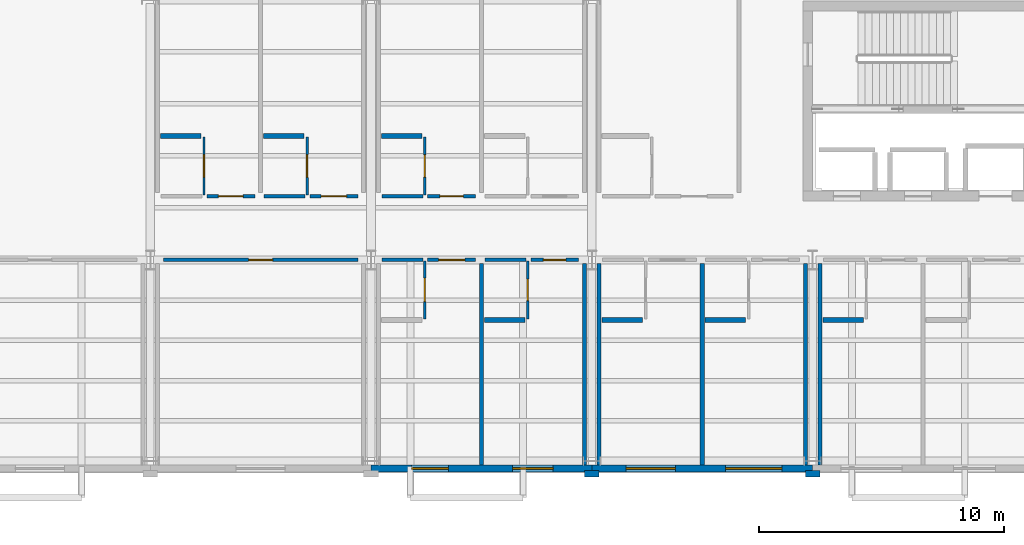
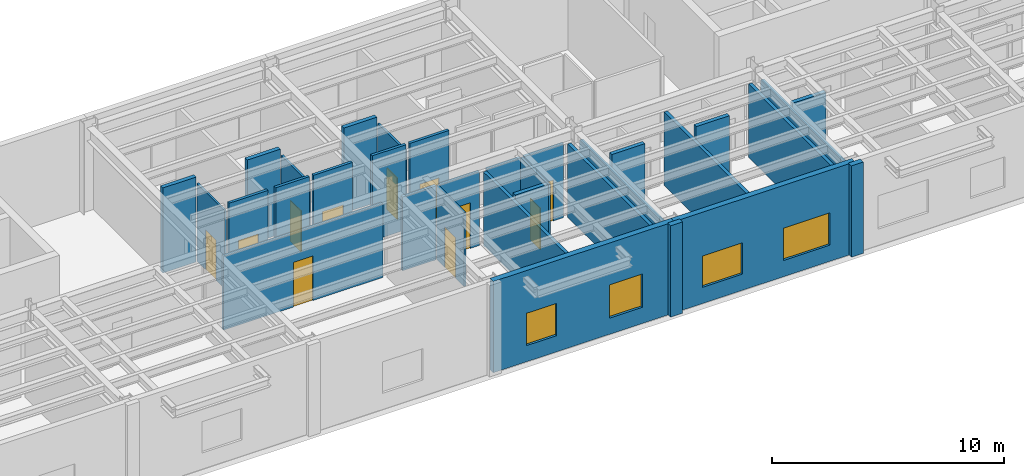
# One storey, part 69 of 91: 32 walls, 11 doors, 4 windows, 15 openings.
"""IFC4 building model written with IfcOpenShell, lengths in metres."""

from ifc_helpers import new_model, si_unit, direction, frame, frame_2d, origin, place, context, subcontext, project, spatial, rectangle, extrude, material, layer, layer_set, type_object, element, fill, save


model = new_model("IFC4")

# Units and contexts
model_context = context("Model", 3, precision=1e-05, world=origin(), true_north=direction((0.0, 1.0)))
body_context = subcontext(model_context, "Body", "Model", "MODEL_VIEW")
ifc_project = project(units=[si_unit("LENGTHUNIT", "METRE"), si_unit("AREAUNIT", "SQUARE_METRE"), si_unit("VOLUMEUNIT", "CUBIC_METRE"), si_unit("PLANEANGLEUNIT", "RADIAN"), si_unit("MASSUNIT", "GRAM", prefix="KILO")], contexts=[model_context])

# Site, building, storey
site_placement = place(None, origin())
site = spatial("IfcSite", under=ifc_project, at=site_placement, CompositionType="ELEMENT")
building_placement = place(site_placement, origin())
building = spatial("IfcBuilding", under=site, at=building_placement, Name="Sollismere Congress Hotel", CompositionType="ELEMENT")
storey_placement = place(building_placement, frame((0.0, 0.0, 10.800048828125)))
storey = spatial("IfcBuildingStorey", under=building, at=storey_placement, Name="L02", CompositionType="ELEMENT", Elevation=10.800048828125)

# Wall, openings, windows
ifc_material_1 = material(Name="Colorado Buff Sandstone Rainscreen on Insulated Backup", Category="masonry")
ifc_layer_1 = layer(ifc_material_1, 0.284912109375, Name="Colorado Buff Sandstone Rainscreen on Insulated Backup")
ifc_layer_set_1 = layer_set([ifc_layer_1], Name="Colorado Buff Sandstone Rainscreen on Insulated Backup")
wall_type_1 = type_object("IfcWallType", Name="WL-EXT285", PredefinedType="STANDARD", material=ifc_layer_set_1)
wall_1_placement = place(storey_placement, frame((76.0, -0.31005859375, 0.0), z_axis=(0.0, 0.0, 1.0), x_axis=(1.0, 0.0, 0.0)))
wall_1 = element("IfcWall", 1, at=wall_1_placement, inside=storey, type_object=wall_type_1, Name="Exterior wall EW-L02-336", PredefinedType="STANDARD", context=body_context, shape_type="SweptSolid", body=[
    extrude(rectangle(XDim=9.0, YDim=0.284912109375, at=frame_2d((4.5, 0.0))), origin(), (0.0, 0.0, 1.0), 4.800048828125),
])
opening_1_placement = place(wall_1_placement, frame((1.64990234375, 0.0, 0.85009765625)))
opening_1 = element("IfcOpeningElement", 2, at=opening_1_placement, cuts=wall_1, Name="Opening W-L02-269", PredefinedType="OPENING", context=body_context, shape_type="SweptSolid", body=[
    extrude(rectangle(XDim=1.5, YDim=1.699951171875, at=frame_2d((0.75, 0.85009765625))), frame((0.0, 0.15234375, 0.0), z_axis=(0.0, -1.0, 0.0), x_axis=(1.0, 0.0, 0.0)), (0.0, 0.0, 1.0), 0.304931640625),
])
opening_2_placement = place(wall_1_placement, frame((5.77490234375, 0.0, 0.85009765625)))
opening_2 = element("IfcOpeningElement", 3, at=opening_2_placement, cuts=wall_1, Name="Opening W-L02-270", PredefinedType="OPENING", context=body_context, shape_type="SweptSolid", body=[
    extrude(rectangle(XDim=1.64990234375, YDim=1.75, at=frame_2d((0.824951171875, 0.875))), frame((0.0, 0.15234375, 0.0), z_axis=(0.0, -1.0, 0.0), x_axis=(1.0, 0.0, 0.0)), (0.0, 0.0, 1.0), 0.304931640625),
])
ifc_material_2 = material(Name="Thermally Broken Bronze Aluminum & Low-E Glass", Category="aluminium")
window_type_1 = type_object("IfcWindowType", Name="WN-P150x170", PartitioningType="SINGLE_PANEL", PredefinedType="WINDOW", material=ifc_material_2)
window_1_placement = place(opening_1_placement, origin())
window_1 = element("IfcWindow", 4, at=window_1_placement, inside=storey, type_object=window_type_1, Name="WIN-W-L02-269", OverallHeight=1.699951171875, OverallWidth=1.5, PartitioningType="SINGLE_PANEL", PredefinedType="WINDOW", context=body_context, shape_type="SweptSolid", body=[
    extrude(rectangle(XDim=1.5, YDim=1.699951171875, at=frame_2d((0.75, 0.85009765625))), frame((0.0, 0.030029296875, 0.0), z_axis=(0.0, -1.0, 0.0), x_axis=(1.0, 0.0, 0.0)), (0.0, 0.0, 1.0), 0.06005859375),
])
fill(opening_1, window_1)
window_type_2 = type_object("IfcWindowType", Name="WN-P165x175", PartitioningType="SINGLE_PANEL", PredefinedType="WINDOW", material=ifc_material_2)
window_2_placement = place(opening_2_placement, origin())
window_2 = element("IfcWindow", 5, at=window_2_placement, inside=storey, type_object=window_type_2, Name="WIN-W-L02-270", OverallHeight=1.75, OverallWidth=1.64990234375, PartitioningType="SINGLE_PANEL", PredefinedType="WINDOW", context=body_context, shape_type="SweptSolid", body=[
    extrude(rectangle(XDim=1.64990234375, YDim=1.75, at=frame_2d((0.824951171875, 0.875))), frame((0.0, 0.030029296875, 0.0), z_axis=(0.0, -1.0, 0.0), x_axis=(1.0, 0.0, 0.0)), (0.0, 0.0, 1.0), 0.06005859375),
])
fill(opening_2, window_2)

wall_2_placement = place(storey_placement, frame((85.0, -0.31005859375, 0.0), z_axis=(0.0, 0.0, 1.0), x_axis=(1.0, 0.0, 0.0)))
wall_2 = element("IfcWall", 6, at=wall_2_placement, inside=storey, type_object=wall_type_1, Name="Exterior wall EW-L02-338", PredefinedType="STANDARD", context=body_context, shape_type="SweptSolid", body=[
    extrude(rectangle(XDim=9.0, YDim=0.284912109375, at=frame_2d((4.5, 0.0))), origin(), (0.0, 0.0, 1.0), 4.800048828125),
])
opening_3_placement = place(wall_2_placement, frame((1.39990234375, 0.0, 0.85009765625)))
opening_3 = element("IfcOpeningElement", 7, at=opening_3_placement, cuts=wall_2, Name="Opening W-L02-271", PredefinedType="OPENING", context=body_context, shape_type="SweptSolid", body=[
    extrude(rectangle(XDim=2.0, YDim=1.64990234375, at=frame_2d((1.0, 0.824951171875))), frame((0.0, 0.15234375, 0.0), z_axis=(0.0, -1.0, 0.0), x_axis=(1.0, 0.0, 0.0)), (0.0, 0.0, 1.0), 0.304931640625),
])
opening_4_placement = place(wall_2_placement, frame((5.449951171875, 0.0, 0.85009765625)))
opening_4 = element("IfcOpeningElement", 8, at=opening_4_placement, cuts=wall_2, Name="Opening W-L02-272", PredefinedType="OPENING", context=body_context, shape_type="SweptSolid", body=[
    extrude(rectangle(XDim=2.300048828125, YDim=1.699951171875, at=frame_2d((1.14990234375, 0.85009765625))), frame((0.0, 0.15234375, 0.0), z_axis=(0.0, -1.0, 0.0), x_axis=(1.0, 0.0, 0.0)), (0.0, 0.0, 1.0), 0.304931640625),
])
window_type_3 = type_object("IfcWindowType", Name="WN-P200x165", PartitioningType="SINGLE_PANEL", PredefinedType="WINDOW", material=ifc_material_2)
window_3_placement = place(opening_3_placement, origin())
window_3 = element("IfcWindow", 9, at=window_3_placement, inside=storey, type_object=window_type_3, Name="WIN-W-L02-271", OverallHeight=1.64990234375, OverallWidth=2.0, PartitioningType="SINGLE_PANEL", PredefinedType="WINDOW", context=body_context, shape_type="SweptSolid", body=[
    extrude(rectangle(XDim=2.0, YDim=1.64990234375, at=frame_2d((1.0, 0.824951171875))), frame((0.0, 0.030029296875, 0.0), z_axis=(0.0, -1.0, 0.0), x_axis=(1.0, 0.0, 0.0)), (0.0, 0.0, 1.0), 0.06005859375),
])
fill(opening_3, window_3)
window_type_4 = type_object("IfcWindowType", Name="WN-P230x170", PartitioningType="SINGLE_PANEL", PredefinedType="WINDOW", material=ifc_material_2)
window_4_placement = place(opening_4_placement, origin())
window_4 = element("IfcWindow", 10, at=window_4_placement, inside=storey, type_object=window_type_4, Name="WIN-W-L02-272", OverallHeight=1.699951171875, OverallWidth=2.300048828125, PartitioningType="SINGLE_PANEL", PredefinedType="WINDOW", context=body_context, shape_type="SweptSolid", body=[
    extrude(rectangle(XDim=2.300048828125, YDim=1.699951171875, at=frame_2d((1.14990234375, 0.85009765625))), frame((0.0, 0.030029296875, 0.0), z_axis=(0.0, -1.0, 0.0), x_axis=(1.0, 0.0, 0.0)), (0.0, 0.0, 1.0), 0.06005859375),
])
fill(opening_4, window_4)

# Walls
ifc_material_3 = material(Name="Carved Travertine Pilaster & Frieze Assembly", Category="masonry")
ifc_layer_2 = layer(ifc_material_3, 0.260009765625, Name="Carved Travertine Pilaster & Frieze Assembly")
ifc_layer_set_2 = layer_set([ifc_layer_2], Name="Carved Travertine Pilaster & Frieze Assembly")
wall_type_2 = type_object("IfcWallType", Name="WL-PIL280", PredefinedType="ELEMENTEDWALL", material=ifc_layer_set_2)
for number, where, z_axis, x_axis, name in (
    (11, (84.699951171875, -0.52001953125, 0.0), (0.0, 0.0, 1.0), (1.0, 0.0, 0.0), "Exterior wall EW-L02-339"),
    (12, (93.699951171875, -0.52001953125, 0.0), (0.0, 0.0, 1.0), (1.0, 0.0, 0.0), "Exterior wall EW-L02-341"),
):
    element("IfcWall", number, at=place(storey_placement, frame(where, z_axis=z_axis, x_axis=x_axis)), inside=storey, type_object=wall_type_2, Name=name, PredefinedType="ELEMENTEDWALL", context=body_context, shape_type="SweptSolid", body=[
        extrude(rectangle(XDim=0.60009765625, YDim=0.260009765625, at=frame_2d((0.300048828125, 0.0))), origin(), (0.0, 0.0, 1.0), 4.800048828125),
    ])
ifc_material_4 = material(Name="Moisture-Resistant Shaft Gypsum Assembly")
ifc_layer_3 = layer(ifc_material_4, 0.199951171875, Name="Moisture-Resistant Shaft Gypsum Assembly")
ifc_layer_set_3 = layer_set([ifc_layer_3], Name="Moisture-Resistant Shaft Gypsum Assembly")
wall_type_3 = type_object("IfcWallType", Name="WL-PLM200", PredefinedType="PLUMBINGWALL", material=ifc_layer_set_3)
wall_3_placement = place(storey_placement, frame((67.419921875, 13.25, 0.0), z_axis=(0.0, 0.0, 1.0), x_axis=(1.0, 0.0, 0.0)))
element("IfcWall", 13, at=wall_3_placement, inside=storey, type_object=wall_type_3, Name="Interior wall IW-L02-1015", PredefinedType="PLUMBINGWALL", context=body_context, shape_type="SweptSolid", body=[
    extrude(rectangle(XDim=1.650146484375, YDim=0.199951171875, at=frame_2d((0.8251953125, 0.0))), origin(), (0.0, 0.0, 1.0), 4.474853515625),
])
wall_4_placement = place(storey_placement, frame((71.6201171875, 13.25, 0.0), z_axis=(0.0, 0.0, 1.0), x_axis=(1.0, 0.0, 0.0)))
element("IfcWall", 14, at=wall_4_placement, inside=storey, type_object=wall_type_3, Name="Interior wall IW-L02-1020", PredefinedType="PLUMBINGWALL", context=body_context, shape_type="SweptSolid", body=[
    extrude(rectangle(XDim=1.64990234375, YDim=0.199951171875, at=frame_2d((0.824951171875, 0.0))), origin(), (0.0, 0.0, 1.0), 4.474853515625),
])
wall_5_placement = place(storey_placement, frame((80.6201171875, 5.75, 0.0), z_axis=(0.0, 0.0, 1.0), x_axis=(1.0, 0.0, 0.0)))
element("IfcWall", 15, at=wall_5_placement, inside=storey, type_object=wall_type_3, Name="Interior wall IW-L02-1031", PredefinedType="PLUMBINGWALL", context=body_context, shape_type="SweptSolid", body=[
    extrude(rectangle(XDim=1.64990234375, YDim=0.199951171875, at=frame_2d((0.824951171875, 0.0))), origin(), (0.0, 0.0, 1.0), 4.02783203125),
])
for number, where, z_axis, x_axis, name in (
    (16, (76.419921875, 13.25, 0.0), (0.0, 0.0, 1.0), (1.0, 0.0, 0.0), "Interior wall IW-L02-1037"),
    (17, (85.419921875, 5.75, 0.0), (0.0, 0.0, 1.0), (1.0, 0.0, 0.0), "Interior wall IW-L02-1048"),
):
    element("IfcWall", number, at=place(storey_placement, frame(where, z_axis=z_axis, x_axis=x_axis)), inside=storey, type_object=wall_type_3, Name=name, PredefinedType="PLUMBINGWALL", context=body_context, shape_type="SweptSolid", body=[
        extrude(rectangle(XDim=1.650146484375, YDim=0.199951171875, at=frame_2d((0.8251953125, 0.0))), origin(), (0.0, 0.0, 1.0), 4.474853515625),
    ])
wall_6_placement = place(storey_placement, frame((89.6201171875, 5.75, 0.0), z_axis=(0.0, 0.0, 1.0), x_axis=(1.0, 0.0, 0.0)))
element("IfcWall", 18, at=wall_6_placement, inside=storey, type_object=wall_type_3, Name="Interior wall IW-L02-1053", PredefinedType="PLUMBINGWALL", context=body_context, shape_type="SweptSolid", body=[
    extrude(rectangle(XDim=1.64990234375, YDim=0.199951171875, at=frame_2d((0.824951171875, 0.0))), origin(), (0.0, 0.0, 1.0), 4.474853515625),
])
wall_7_placement = place(storey_placement, frame((94.419921875, 5.75, 0.0), z_axis=(0.0, 0.0, 1.0), x_axis=(1.0, 0.0, 0.0)))
element("IfcWall", 19, at=wall_7_placement, inside=storey, type_object=wall_type_3, Name="Interior wall IW-L02-1065", PredefinedType="PLUMBINGWALL", context=body_context, shape_type="SweptSolid", body=[
    extrude(rectangle(XDim=1.650146484375, YDim=0.199951171875, at=frame_2d((0.8251953125, 0.0))), origin(), (0.0, 0.0, 1.0), 4.02783203125),
])

# Wall, opening, door
ifc_material_5 = material(Name="Moisture-Resistant Gypsum Partition")
ifc_layer_4 = layer(ifc_material_5, 0.10009765625, Name="Moisture-Resistant Gypsum Partition")
ifc_layer_set_4 = layer_set([ifc_layer_4], Name="Moisture-Resistant Gypsum Partition")
wall_type_4 = type_object("IfcWallType", Name="WL-PRT100", PredefinedType="PARTITIONING", material=ifc_layer_set_4)
wall_8_placement = place(storey_placement, frame((69.18994140625, 10.840087890625, 0.0), z_axis=(0.0, 0.0, 1.0), x_axis=(0.0, 1.0, 0.0)))
wall_8 = element("IfcWall", 20, at=wall_8_placement, inside=storey, type_object=wall_type_4, Name="Interior wall IW-L02-1014", PredefinedType="PARTITIONING", context=body_context, shape_type="SweptSolid", body=[
    extrude(rectangle(XDim=2.369873046875, YDim=0.10009765625, at=frame_2d((1.18505859375, 0.0))), origin(), (0.0, 0.0, 1.0), 4.0830078125),
])
opening_5_placement = place(wall_8_placement, frame((0.73291015625, 0.0, 0.0)))
opening_5 = element("IfcOpeningElement", 21, at=opening_5_placement, cuts=wall_8, Name="Opening D-L02-0358", PredefinedType="OPENING", context=body_context, shape_type="SweptSolid", body=[
    extrude(rectangle(XDim=0.905029296875, YDim=2.10009765625, at=frame_2d((0.45263671875, 1.050048828125))), frame((0.0, 0.06005859375, 0.0), z_axis=(0.0, -1.0, 0.0), x_axis=(1.0, 0.0, 0.0)), (0.0, 0.0, 1.0), 0.1201171875),
])
ifc_material_6 = material(Name="Moisture-Sealed Timber Bathroom Door", Category="wood")
door_type_1 = type_object("IfcDoorType", Name="DR-BT02", OperationType="NOTDEFINED", PredefinedType="DOOR", material=ifc_material_6)
door_1_placement = place(opening_5_placement, origin())
door_1 = element("IfcDoor", 22, at=door_1_placement, inside=storey, type_object=door_type_1, Name="En-suite bathroom door D-L02-0358", OperationType="SINGLE_SWING_LEFT", OverallHeight=2.10009765625, OverallWidth=0.905029296875, PredefinedType="DOOR", context=body_context, shape_type="SweptSolid", body=[
    extrude(rectangle(XDim=0.905029296875, YDim=2.10009765625, at=frame_2d((0.45263671875, 1.050048828125))), frame((0.0, 0.02490234375, 0.0), z_axis=(0.0, -1.0, 0.0), x_axis=(1.0, 0.0, 0.0)), (0.0, 0.0, 1.0), 0.050048828125),
])
fill(opening_5, door_1)

wall_9_placement = place(storey_placement, frame((73.389892578125, 10.840087890625, 0.0), z_axis=(0.0, 0.0, 1.0), x_axis=(0.0, 1.0, 0.0)))
wall_9 = element("IfcWall", 23, at=wall_9_placement, inside=storey, type_object=wall_type_4, Name="Interior wall IW-L02-1019", PredefinedType="PARTITIONING", context=body_context, shape_type="SweptSolid", body=[
    extrude(rectangle(XDim=2.369873046875, YDim=0.10009765625, at=frame_2d((1.18505859375, 0.0))), origin(), (0.0, 0.0, 1.0), 4.0830078125),
])
opening_6_placement = place(wall_9_placement, frame((0.719970703125, 0.0, 0.0)))
opening_6 = element("IfcOpeningElement", 24, at=opening_6_placement, cuts=wall_9, Name="Opening D-L02-0360", PredefinedType="OPENING", context=body_context, shape_type="SweptSolid", body=[
    extrude(rectangle(XDim=0.929931640625, YDim=2.139892578125, at=frame_2d((0.46484375, 1.06982421875))), frame((0.0, 0.06005859375, 0.0), z_axis=(0.0, -1.0, 0.0), x_axis=(1.0, 0.0, 0.0)), (0.0, 0.0, 1.0), 0.1201171875),
])
door_type_2 = type_object("IfcDoorType", Name="DR-BT03", OperationType="NOTDEFINED", PredefinedType="DOOR", material=ifc_material_6)
door_2_placement = place(opening_6_placement, origin())
door_2 = element("IfcDoor", 25, at=door_2_placement, inside=storey, type_object=door_type_2, Name="En-suite bathroom door D-L02-0360", OperationType="SINGLE_SWING_LEFT", OverallHeight=2.139892578125, OverallWidth=0.929931640625, PredefinedType="DOOR", context=body_context, shape_type="SweptSolid", body=[
    extrude(rectangle(XDim=0.929931640625, YDim=2.139892578125, at=frame_2d((0.46484375, 1.06982421875))), frame((0.0, 0.02490234375, 0.0), z_axis=(0.0, -1.0, 0.0), x_axis=(1.0, 0.0, 0.0)), (0.0, 0.0, 1.0), 0.050048828125),
])
fill(opening_6, door_2)

wall_10_placement = place(storey_placement, frame((78.18994140625, 5.7900390625, 0.0), z_axis=(0.0, 0.0, 1.0), x_axis=(0.0, 1.0, 0.0)))
wall_10 = element("IfcWall", 26, at=wall_10_placement, inside=storey, type_object=wall_type_4, Name="Interior wall IW-L02-1025", PredefinedType="PARTITIONING", context=body_context, shape_type="SweptSolid", body=[
    extrude(rectangle(XDim=2.369873046875, YDim=0.10009765625, at=frame_2d((1.18505859375, 0.0))), origin(), (0.0, 0.0, 1.0), 3.887939453125),
])
opening_7_placement = place(wall_10_placement, frame((0.7080078125, 0.0, 0.0)))
opening_7 = element("IfcOpeningElement", 27, at=opening_7_placement, cuts=wall_10, Name="Opening D-L02-0362", PredefinedType="OPENING", context=body_context, shape_type="SweptSolid", body=[
    extrude(rectangle(XDim=0.955078125, YDim=2.139892578125, at=frame_2d((0.4775390625, 1.06982421875))), frame((0.0, 0.06005859375, 0.0), z_axis=(0.0, -1.0, 0.0), x_axis=(1.0, 0.0, 0.0)), (0.0, 0.0, 1.0), 0.1201171875),
])
door_type_3 = type_object("IfcDoorType", Name="DR-BT04", OperationType="NOTDEFINED", PredefinedType="DOOR", material=ifc_material_6)
door_3_placement = place(opening_7_placement, origin())
door_3 = element("IfcDoor", 28, at=door_3_placement, inside=storey, type_object=door_type_3, Name="En-suite bathroom door D-L02-0362", OperationType="SINGLE_SWING_LEFT", OverallHeight=2.139892578125, OverallWidth=0.955078125, PredefinedType="DOOR", context=body_context, shape_type="SweptSolid", body=[
    extrude(rectangle(XDim=0.955078125, YDim=2.139892578125, at=frame_2d((0.4775390625, 1.06982421875))), frame((0.0, 0.02490234375, 0.0), z_axis=(0.0, -1.0, 0.0), x_axis=(1.0, 0.0, 0.0)), (0.0, 0.0, 1.0), 0.050048828125),
])
fill(opening_7, door_3)

wall_11_placement = place(storey_placement, frame((82.389892578125, 5.7900390625, 0.0), z_axis=(0.0, 0.0, 1.0), x_axis=(0.0, 1.0, 0.0)))
wall_11 = element("IfcWall", 29, at=wall_11_placement, inside=storey, type_object=wall_type_4, Name="Interior wall IW-L02-1030", PredefinedType="PARTITIONING", context=body_context, shape_type="SweptSolid", body=[
    extrude(rectangle(XDim=2.369873046875, YDim=0.10009765625, at=frame_2d((1.18505859375, 0.0))), origin(), (0.0, 0.0, 1.0), 3.887939453125),
])
opening_8_placement = place(wall_11_placement, frame((0.7451171875, 0.0, 0.0)))
opening_8 = element("IfcOpeningElement", 30, at=opening_8_placement, cuts=wall_11, Name="Opening D-L02-0364", PredefinedType="OPENING", context=body_context, shape_type="SweptSolid", body=[
    extrude(rectangle(XDim=0.8798828125, YDim=2.179931640625, at=frame_2d((0.43994140625, 1.08984375))), frame((0.0, 0.06005859375, 0.0), z_axis=(0.0, -1.0, 0.0), x_axis=(1.0, 0.0, 0.0)), (0.0, 0.0, 1.0), 0.1201171875),
])
door_type_4 = type_object("IfcDoorType", Name="DR-BT05", OperationType="NOTDEFINED", PredefinedType="DOOR", material=ifc_material_6)
door_4_placement = place(opening_8_placement, origin())
door_4 = element("IfcDoor", 31, at=door_4_placement, inside=storey, type_object=door_type_4, Name="En-suite bathroom door D-L02-0364", OperationType="SINGLE_SWING_LEFT", OverallHeight=2.179931640625, OverallWidth=0.8798828125, PredefinedType="DOOR", context=body_context, shape_type="SweptSolid", body=[
    extrude(rectangle(XDim=0.8798828125, YDim=2.179931640625, at=frame_2d((0.43994140625, 1.08984375))), frame((0.0, 0.02490234375, 0.0), z_axis=(0.0, -1.0, 0.0), x_axis=(1.0, 0.0, 0.0)), (0.0, 0.0, 1.0), 0.050048828125),
])
fill(opening_8, door_4)

wall_12_placement = place(storey_placement, frame((78.18994140625, 10.840087890625, 0.0), z_axis=(0.0, 0.0, 1.0), x_axis=(0.0, 1.0, 0.0)))
wall_12 = element("IfcWall", 32, at=wall_12_placement, inside=storey, type_object=wall_type_4, Name="Interior wall IW-L02-1036", PredefinedType="PARTITIONING", context=body_context, shape_type="SweptSolid", body=[
    extrude(rectangle(XDim=2.369873046875, YDim=0.10009765625, at=frame_2d((1.18505859375, 0.0))), origin(), (0.0, 0.0, 1.0), 4.0830078125),
])
opening_9_placement = place(wall_12_placement, frame((0.73291015625, 0.0, 0.0)))
opening_9 = element("IfcOpeningElement", 33, at=opening_9_placement, cuts=wall_12, Name="Opening D-L02-0366", PredefinedType="OPENING", context=body_context, shape_type="SweptSolid", body=[
    extrude(rectangle(XDim=0.905029296875, YDim=2.179931640625, at=frame_2d((0.45263671875, 1.08984375))), frame((0.0, 0.06005859375, 0.0), z_axis=(0.0, -1.0, 0.0), x_axis=(1.0, 0.0, 0.0)), (0.0, 0.0, 1.0), 0.1201171875),
])
door_type_5 = type_object("IfcDoorType", Name="DR-BT06", OperationType="NOTDEFINED", PredefinedType="DOOR", material=ifc_material_6)
door_5_placement = place(opening_9_placement, origin())
door_5 = element("IfcDoor", 34, at=door_5_placement, inside=storey, type_object=door_type_5, Name="En-suite bathroom door D-L02-0366", OperationType="SINGLE_SWING_LEFT", OverallHeight=2.179931640625, OverallWidth=0.905029296875, PredefinedType="DOOR", context=body_context, shape_type="SweptSolid", body=[
    extrude(rectangle(XDim=0.905029296875, YDim=2.179931640625, at=frame_2d((0.45263671875, 1.08984375))), frame((0.0, 0.02490234375, 0.0), z_axis=(0.0, -1.0, 0.0), x_axis=(1.0, 0.0, 0.0)), (0.0, 0.0, 1.0), 0.050048828125),
])
fill(opening_9, door_5)

ifc_material_7 = material(Name="Fire-Rated Gypsum Partition")
ifc_layer_5 = layer(ifc_material_7, 0.139892578125, Name="Fire-Rated Gypsum Partition")
ifc_layer_set_5 = layer_set([ifc_layer_5], Name="Fire-Rated Gypsum Partition")
wall_type_5 = type_object("IfcWallType", Name="WL-PRT140R", PredefinedType="PARTITIONING", material=ifc_layer_set_5)
wall_13_placement = place(storey_placement, frame((69.31005859375, 10.800048828125, 0.0), z_axis=(0.0, 0.0, 1.0), x_axis=(1.0, 0.0, 0.0)))
wall_13 = element("IfcWall", 35, at=wall_13_placement, inside=storey, type_object=wall_type_5, Name="Interior wall IW-L02-1011", PredefinedType="PARTITIONING", context=body_context, shape_type="SweptSolid", body=[
    extrude(rectangle(XDim=1.949951171875, YDim=0.139892578125, at=frame_2d((0.97509765625, 0.0))), origin(), (0.0, 0.0, 1.0), 4.474853515625),
])
opening_10_placement = place(wall_13_placement, frame((0.469970703125, 0.0, 0.0)))
opening_10 = element("IfcOpeningElement", 36, at=opening_10_placement, cuts=wall_13, Name="Opening D-L02-0357", PredefinedType="OPENING", context=body_context, shape_type="SweptSolid", body=[
    extrude(rectangle(XDim=1.010009765625, YDim=2.35009765625, at=frame_2d((0.5048828125, 1.175048828125))), frame((0.0, 0.079833984375, 0.0), z_axis=(0.0, -1.0, 0.0), x_axis=(1.0, 0.0, 0.0)), (0.0, 0.0, 1.0), 0.159912109375),
])
ifc_material_8 = material(Name="Solid-Core Acoustic Walnut Guestroom Entry Door")
door_type_6 = type_object("IfcDoorType", Name="DR-KY10", OperationType="NOTDEFINED", PredefinedType="DOOR", material=ifc_material_8)
door_6_placement = place(opening_10_placement, origin())
door_6 = element("IfcDoor", 37, at=door_6_placement, inside=storey, type_object=door_type_6, Name="Hotel room entry door D-L02-0357", OperationType="SINGLE_SWING_RIGHT", OverallHeight=2.35009765625, OverallWidth=1.010009765625, PredefinedType="DOOR", context=body_context, shape_type="SweptSolid", body=[
    extrude(rectangle(XDim=1.010009765625, YDim=2.35009765625, at=frame_2d((0.5048828125, 1.175048828125))), frame((0.0, 0.02490234375, 0.0), z_axis=(0.0, -1.0, 0.0), x_axis=(1.0, 0.0, 0.0)), (0.0, 0.0, 1.0), 0.050048828125),
])
fill(opening_10, door_6)

# Wall
wall_14_placement = place(storey_placement, frame((71.639892578125, 10.800048828125, 0.0), z_axis=(0.0, 0.0, 1.0), x_axis=(1.0, 0.0, 0.0)))
element("IfcWall", 38, at=wall_14_placement, inside=storey, type_object=wall_type_5, Name="Interior wall IW-L02-1016", PredefinedType="PARTITIONING", context=body_context, shape_type="SweptSolid", body=[
    extrude(rectangle(XDim=1.670166015625, YDim=0.139892578125, at=frame_2d((0.8349609375, 0.0))), origin(), (0.0, 0.0, 1.0), 4.474853515625),
])

# Wall, opening, door
wall_15_placement = place(storey_placement, frame((73.510009765625, 10.800048828125, 0.0), z_axis=(0.0, 0.0, 1.0), x_axis=(1.0, 0.0, 0.0)))
wall_15 = element("IfcWall", 39, at=wall_15_placement, inside=storey, type_object=wall_type_5, Name="Interior wall IW-L02-1017", PredefinedType="PARTITIONING", context=body_context, shape_type="SweptSolid", body=[
    extrude(rectangle(XDim=1.949951171875, YDim=0.139892578125, at=frame_2d((0.97509765625, 0.0))), origin(), (0.0, 0.0, 1.0), 4.474853515625),
])
opening_11_placement = place(wall_15_placement, frame((0.455078125, 0.0, 0.0)))
opening_11 = element("IfcOpeningElement", 40, at=opening_11_placement, cuts=wall_15, Name="Opening D-L02-0359", PredefinedType="OPENING", context=body_context, shape_type="SweptSolid", body=[
    extrude(rectangle(XDim=1.0400390625, YDim=2.39990234375, at=frame_2d((0.52001953125, 1.199951171875))), frame((0.0, 0.079833984375, 0.0), z_axis=(0.0, -1.0, 0.0), x_axis=(1.0, 0.0, 0.0)), (0.0, 0.0, 1.0), 0.159912109375),
])
door_type_7 = type_object("IfcDoorType", Name="DR-KY11", OperationType="NOTDEFINED", PredefinedType="DOOR", material=ifc_material_8)
door_7_placement = place(opening_11_placement, origin())
door_7 = element("IfcDoor", 41, at=door_7_placement, inside=storey, type_object=door_type_7, Name="Hotel room entry door D-L02-0359", OperationType="SINGLE_SWING_RIGHT", OverallHeight=2.39990234375, OverallWidth=1.0400390625, PredefinedType="DOOR", context=body_context, shape_type="SweptSolid", body=[
    extrude(rectangle(XDim=1.0400390625, YDim=2.39990234375, at=frame_2d((0.52001953125, 1.199951171875))), frame((0.0, 0.02490234375, 0.0), z_axis=(0.0, -1.0, 0.0), x_axis=(1.0, 0.0, 0.0)), (0.0, 0.0, 1.0), 0.050048828125),
])
fill(opening_11, door_7)

# Wall
wall_16_placement = place(storey_placement, frame((76.43994140625, 8.199951171875, 0.0), z_axis=(0.0, 0.0, 1.0), x_axis=(1.0, 0.0, 0.0)))
element("IfcWall", 42, at=wall_16_placement, inside=storey, type_object=wall_type_5, Name="Interior wall IW-L02-1021", PredefinedType="PARTITIONING", context=body_context, shape_type="SweptSolid", body=[
    extrude(rectangle(XDim=1.670166015625, YDim=0.139892578125, at=frame_2d((0.8349609375, 0.0))), origin(), (0.0, 0.0, 1.0), 3.887939453125),
])

# Wall, opening, door
wall_17_placement = place(storey_placement, frame((78.31005859375, 8.199951171875, 0.0), z_axis=(0.0, 0.0, 1.0), x_axis=(1.0, 0.0, 0.0)))
wall_17 = element("IfcWall", 43, at=wall_17_placement, inside=storey, type_object=wall_type_5, Name="Interior wall IW-L02-1022", PredefinedType="PARTITIONING", context=body_context, shape_type="SweptSolid", body=[
    extrude(rectangle(XDim=1.949951171875, YDim=0.139892578125, at=frame_2d((0.97509765625, 0.0))), origin(), (0.0, 0.0, 1.0), 3.887939453125),
])
opening_12_placement = place(wall_17_placement, frame((0.43994140625, 0.0, 0.0)))
opening_12 = element("IfcOpeningElement", 44, at=opening_12_placement, cuts=wall_17, Name="Opening D-L02-0361", PredefinedType="OPENING", context=body_context, shape_type="SweptSolid", body=[
    extrude(rectangle(XDim=1.070068359375, YDim=2.39990234375, at=frame_2d((0.53515625, 1.199951171875))), frame((0.0, 0.079833984375, 0.0), z_axis=(0.0, -1.0, 0.0), x_axis=(1.0, 0.0, 0.0)), (0.0, 0.0, 1.0), 0.159912109375),
])
door_type_8 = type_object("IfcDoorType", Name="DR-KY12", OperationType="NOTDEFINED", PredefinedType="DOOR", material=ifc_material_8)
door_8_placement = place(opening_12_placement, origin())
door_8 = element("IfcDoor", 45, at=door_8_placement, inside=storey, type_object=door_type_8, Name="Hotel room entry door D-L02-0361", OperationType="SINGLE_SWING_RIGHT", OverallHeight=2.39990234375, OverallWidth=1.070068359375, PredefinedType="DOOR", context=body_context, shape_type="SweptSolid", body=[
    extrude(rectangle(XDim=1.070068359375, YDim=2.39990234375, at=frame_2d((0.53515625, 1.199951171875))), frame((0.0, 0.02490234375, 0.0), z_axis=(0.0, -1.0, 0.0), x_axis=(1.0, 0.0, 0.0)), (0.0, 0.0, 1.0), 0.050048828125),
])
fill(opening_12, door_8)

# Wall
wall_18_placement = place(storey_placement, frame((80.639892578125, 8.199951171875, 0.0), z_axis=(0.0, 0.0, 1.0), x_axis=(1.0, 0.0, 0.0)))
element("IfcWall", 46, at=wall_18_placement, inside=storey, type_object=wall_type_5, Name="Interior wall IW-L02-1027", PredefinedType="PARTITIONING", context=body_context, shape_type="SweptSolid", body=[
    extrude(rectangle(XDim=1.670166015625, YDim=0.139892578125, at=frame_2d((0.8349609375, 0.0))), origin(), (0.0, 0.0, 1.0), 3.887939453125),
])

# Wall, opening, door
wall_19_placement = place(storey_placement, frame((82.510009765625, 8.199951171875, 0.0), z_axis=(0.0, 0.0, 1.0), x_axis=(1.0, 0.0, 0.0)))
wall_19 = element("IfcWall", 47, at=wall_19_placement, inside=storey, type_object=wall_type_5, Name="Interior wall IW-L02-1028", PredefinedType="PARTITIONING", context=body_context, shape_type="SweptSolid", body=[
    extrude(rectangle(XDim=1.949951171875, YDim=0.139892578125, at=frame_2d((0.97509765625, 0.0))), origin(), (0.0, 0.0, 1.0), 3.887939453125),
])
opening_13_placement = place(wall_19_placement, frame((0.514892578125, 0.0, 0.0)))
opening_13 = element("IfcOpeningElement", 48, at=opening_13_placement, cuts=wall_19, Name="Opening D-L02-0363", PredefinedType="OPENING", context=body_context, shape_type="SweptSolid", body=[
    extrude(rectangle(XDim=0.919921875, YDim=2.14990234375, at=frame_2d((0.4599609375, 1.074951171875))), frame((0.0, 0.079833984375, 0.0), z_axis=(0.0, -1.0, 0.0), x_axis=(1.0, 0.0, 0.0)), (0.0, 0.0, 1.0), 0.159912109375),
])
door_type_9 = type_object("IfcDoorType", Name="DR-KY01", OperationType="NOTDEFINED", PredefinedType="DOOR", material=ifc_material_8)
door_9_placement = place(opening_13_placement, origin())
door_9 = element("IfcDoor", 49, at=door_9_placement, inside=storey, type_object=door_type_9, Name="Hotel room entry door D-L02-0363", OperationType="SINGLE_SWING_RIGHT", OverallHeight=2.14990234375, OverallWidth=0.919921875, PredefinedType="DOOR", context=body_context, shape_type="SweptSolid", body=[
    extrude(rectangle(XDim=0.919921875, YDim=2.14990234375, at=frame_2d((0.4599609375, 1.074951171875))), frame((0.0, 0.02490234375, 0.0), z_axis=(0.0, -1.0, 0.0), x_axis=(1.0, 0.0, 0.0)), (0.0, 0.0, 1.0), 0.050048828125),
])
fill(opening_13, door_9)

# Wall
wall_20_placement = place(storey_placement, frame((76.43994140625, 10.800048828125, 0.0), z_axis=(0.0, 0.0, 1.0), x_axis=(1.0, 0.0, 0.0)))
element("IfcWall", 50, at=wall_20_placement, inside=storey, type_object=wall_type_5, Name="Interior wall IW-L02-1032", PredefinedType="PARTITIONING", context=body_context, shape_type="SweptSolid", body=[
    extrude(rectangle(XDim=1.670166015625, YDim=0.139892578125, at=frame_2d((0.8349609375, 0.0))), origin(), (0.0, 0.0, 1.0), 4.474853515625),
])

# Wall, opening, door
wall_21_placement = place(storey_placement, frame((78.31005859375, 10.800048828125, 0.0), z_axis=(0.0, 0.0, 1.0), x_axis=(1.0, 0.0, 0.0)))
wall_21 = element("IfcWall", 51, at=wall_21_placement, inside=storey, type_object=wall_type_5, Name="Interior wall IW-L02-1033", PredefinedType="PARTITIONING", context=body_context, shape_type="SweptSolid", body=[
    extrude(rectangle(XDim=1.949951171875, YDim=0.139892578125, at=frame_2d((0.97509765625, 0.0))), origin(), (0.0, 0.0, 1.0), 4.474853515625),
])
opening_14_placement = place(wall_21_placement, frame((0.5, 0.0, 0.0)))
opening_14 = element("IfcOpeningElement", 52, at=opening_14_placement, cuts=wall_21, Name="Opening D-L02-0365", PredefinedType="OPENING", context=body_context, shape_type="SweptSolid", body=[
    extrude(rectangle(XDim=0.949951171875, YDim=2.14990234375, at=frame_2d((0.47509765625, 1.074951171875))), frame((0.0, 0.079833984375, 0.0), z_axis=(0.0, -1.0, 0.0), x_axis=(1.0, 0.0, 0.0)), (0.0, 0.0, 1.0), 0.159912109375),
])
door_type_10 = type_object("IfcDoorType", Name="DR-KY02", OperationType="NOTDEFINED", PredefinedType="DOOR", material=ifc_material_8)
door_10_placement = place(opening_14_placement, origin())
door_10 = element("IfcDoor", 53, at=door_10_placement, inside=storey, type_object=door_type_10, Name="Hotel room entry door D-L02-0365", OperationType="SINGLE_SWING_RIGHT", OverallHeight=2.14990234375, OverallWidth=0.949951171875, PredefinedType="DOOR", context=body_context, shape_type="SweptSolid", body=[
    extrude(rectangle(XDim=0.949951171875, YDim=2.14990234375, at=frame_2d((0.47509765625, 1.074951171875))), frame((0.0, 0.02490234375, 0.0), z_axis=(0.0, -1.0, 0.0), x_axis=(1.0, 0.0, 0.0)), (0.0, 0.0, 1.0), 0.050048828125),
])
fill(opening_14, door_10)

wall_22_placement = place(storey_placement, frame((67.5400390625, 8.199951171875, 0.0), z_axis=(0.0, 0.0, 1.0), x_axis=(1.0, 0.0, 0.0)))
wall_22 = element("IfcWall", 54, at=wall_22_placement, inside=storey, type_object=wall_type_5, Name="Interior wall IW-L02-1206", PredefinedType="PARTITIONING", context=body_context, shape_type="SweptSolid", body=[
    extrude(rectangle(XDim=7.919921875, YDim=0.139892578125, at=frame_2d((3.9599609375, 0.0))), origin(), (0.0, 0.0, 1.0), 3.887939453125),
])
opening_15_placement = place(wall_22_placement, frame((3.469970703125, 0.0, 0.0)))
opening_15 = element("IfcOpeningElement", 55, at=opening_15_placement, cuts=wall_22, Name="Opening D-L02-0426", PredefinedType="OPENING", context=body_context, shape_type="SweptSolid", body=[
    extrude(rectangle(XDim=0.97998046875, YDim=2.35009765625, at=frame_2d((0.489990234375, 1.175048828125))), frame((0.0, 0.079833984375, 0.0), z_axis=(0.0, -1.0, 0.0), x_axis=(1.0, 0.0, 0.0)), (0.0, 0.0, 1.0), 0.159912109375),
])
door_type_11 = type_object("IfcDoorType", Name="DR-KY09", OperationType="NOTDEFINED", PredefinedType="DOOR", material=ifc_material_8)
door_11_placement = place(opening_15_placement, origin())
door_11 = element("IfcDoor", 56, at=door_11_placement, inside=storey, type_object=door_type_11, Name="Hotel room entry door D-L02-0426", OperationType="SINGLE_SWING_LEFT", OverallHeight=2.35009765625, OverallWidth=0.97998046875, PredefinedType="DOOR", context=body_context, shape_type="SweptSolid", body=[
    extrude(rectangle(XDim=0.97998046875, YDim=2.35009765625, at=frame_2d((0.489990234375, 1.175048828125))), frame((0.0, 0.02490234375, 0.0), z_axis=(0.0, -1.0, 0.0), x_axis=(1.0, 0.0, 0.0)), (0.0, 0.0, 1.0), 0.050048828125),
])
fill(opening_15, door_11)

# Walls
ifc_material_9 = material(Name="Fire-Rated Acoustic Gypsum Partition")
ifc_layer_6 = layer(ifc_material_9, 0.1650390625, Name="Fire-Rated Acoustic Gypsum Partition")
ifc_layer_set_6 = layer_set([ifc_layer_6], Name="Fire-Rated Acoustic Gypsum Partition")
wall_type_6 = type_object("IfcWallType", Name="WL-PRT165R", PredefinedType="PARTITIONING", material=ifc_layer_set_6)
for number, where, z_axis, x_axis, name in (
    (57, (80.5, -0.152587890625, 0.0), (0.0, 0.0, 1.0), (0.0, 1.0, 0.0), "Interior wall IW-L02-1024"),
    (58, (84.699951171875, -0.152587890625, 0.0), (0.0, 0.0, 1.0), (0.0, 1.0, 0.0), "Interior wall IW-L02-1029"),
    (59, (85.300048828125, -0.152587890625, 0.0), (0.0, 0.0, 1.0), (0.0, 1.0, 0.0), "Interior wall IW-L02-1045"),
    (60, (89.5, -0.152587890625, 0.0), (0.0, 0.0, 1.0), (0.0, 1.0, 0.0), "Interior wall IW-L02-1046"),
    (61, (93.699951171875, -0.152587890625, 0.0), (0.0, 0.0, 1.0), (0.0, 1.0, 0.0), "Interior wall IW-L02-1051"),
    (62, (94.300048828125, -0.152587890625, 0.0), (0.0, 0.0, 1.0), (0.0, 1.0, 0.0), "Interior wall IW-L02-1062"),
):
    element("IfcWall", number, at=place(storey_placement, frame(where, z_axis=z_axis, x_axis=x_axis)), inside=storey, type_object=wall_type_6, Name=name, PredefinedType="PARTITIONING", context=body_context, shape_type="SweptSolid", body=[
        extrude(rectangle(XDim=8.212646484375, YDim=0.1650390625, at=frame_2d((4.1064453125, 0.0))), origin(), (0.0, 0.0, 1.0), 3.864990234375),
    ])

save(model, "model.ifc")
